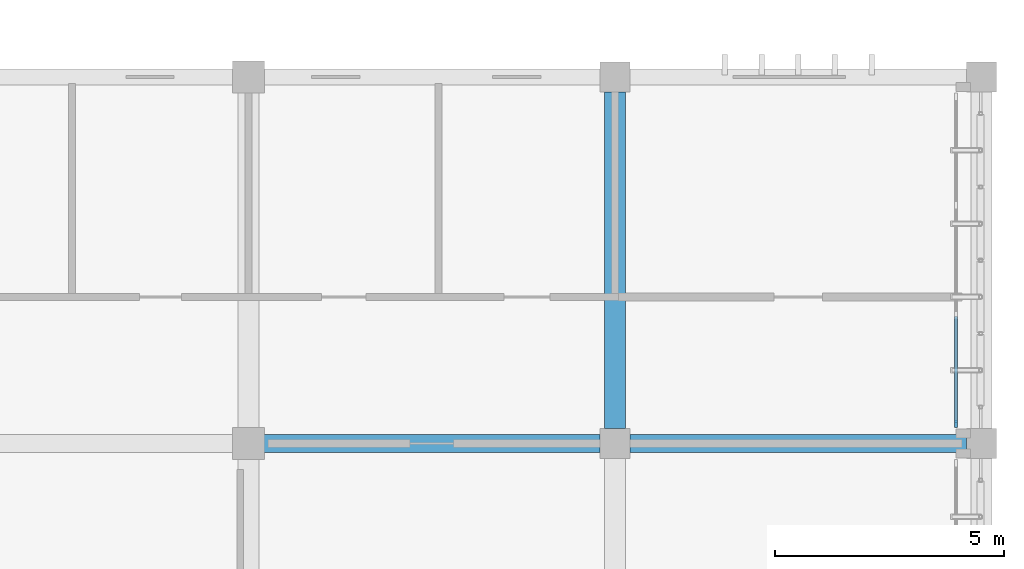
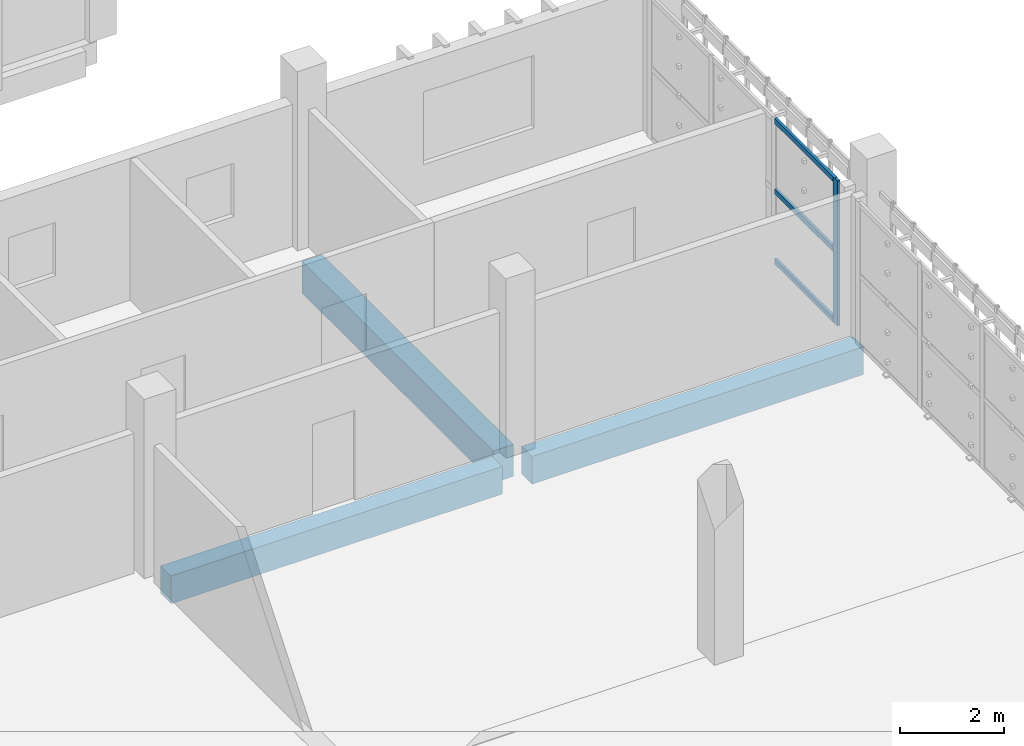
# One storey, part 63 of 137: 4 members, 3 beams, 1 element without a shape of its own.
"""IFC4 building model written with IfcOpenShell, lengths in metres."""

from ifc_helpers import new_model, si_unit, direction, frame, origin, origin_2d, place, context, subcontext, project, spatial, rectangle, extrude, material, layer, layer_set, material_profile, profile_set, type_object, element, aggregate, save


model = new_model("IFC4")

# Units and contexts
model_context = context("Model", 3, precision=1e-05, world=origin(), true_north=direction((0.0, 1.0)))
body_context = subcontext(model_context, "Body", "Model", "MODEL_VIEW")
ifc_project = project(units=[si_unit("LENGTHUNIT", "METRE"), si_unit("AREAUNIT", "SQUARE_METRE"), si_unit("VOLUMEUNIT", "CUBIC_METRE"), si_unit("PLANEANGLEUNIT", "RADIAN"), si_unit("MASSUNIT", "GRAM", prefix="KILO")], contexts=[model_context])

# Site, building, storey
site_placement = place(None, origin())
site = spatial("IfcSite", under=ifc_project, at=site_placement, CompositionType="ELEMENT")
building_placement = place(site_placement, origin())
building = spatial("IfcBuilding", under=site, at=building_placement, Name="Jelvoka-Kovrelna Polytechnic", CompositionType="ELEMENT")
storey_placement = place(building_placement, frame((0.0, 0.0, 9.60009765625)))
storey = spatial("IfcBuildingStorey", under=building, at=storey_placement, Name="L03", CompositionType="ELEMENT", Elevation=9.60009765625)

# Beams
ifc_material_1 = material(Name="Concrete C40/50", Category="concrete")
ifc_material_profile_1 = material_profile(ifc_material_1, rectangle(XDim=0.39990234375, YDim=0.64990234375, at=origin_2d()), Name="RC 400x650")
ifc_profile_set_1 = profile_set([ifc_material_profile_1], Name="Concrete C40/50")
beam_type_1 = type_object("IfcBeamType", Name="Beam_RC_400x650", PredefinedType="BEAM", material=ifc_profile_set_1)
for number, where, z_axis, x_axis, name in (
    (1, (184.330078125, 40.0, -0.590087890625), (1.0, 0.0, 0.0), (0.0, 1.0, 0.0), "L03 beam 0973"),
    (2, (192.330078125, 40.0, -0.590087890625), (1.0, 0.0, 0.0), (0.0, 1.0, 0.0), "L03 beam 0974"),
):
    element("IfcBeam", number, at=place(storey_placement, frame(where, z_axis=z_axis, x_axis=x_axis)), inside=storey, type_object=beam_type_1, Name=name, PredefinedType="BEAM", context=body_context, shape_type="SweptSolid", body=[
        extrude(rectangle(XDim=0.39990234375, YDim=0.64990234375, at=origin_2d()), origin(), (0.0, 0.0, 1.0), 7.33984375),
    ])
ifc_material_2 = material(Name="Concrete C40/50", Category="concrete")
ifc_material_profile_2 = material_profile(ifc_material_2, rectangle(XDim=0.449951171875, YDim=0.75, at=origin_2d()), Name="RC 450x750")
ifc_profile_set_2 = profile_set([ifc_material_profile_2], Name="Concrete C40/50")
beam_type_2 = type_object("IfcBeamType", Name="Beam_RC_450x750", PredefinedType="BEAM", material=ifc_profile_set_2)
beam_placement = place(storey_placement, frame((192.0, 40.330078125, -0.64013671875), z_axis=(0.0, 1.0, 0.0), x_axis=(-1.0, 0.0, 0.0)))
element("IfcBeam", 3, at=beam_placement, inside=storey, type_object=beam_type_2, Name="L03 beam 1001", PredefinedType="BEAM", context=body_context, shape_type="SweptSolid", body=[
    extrude(rectangle(XDim=0.449951171875, YDim=0.75, at=origin_2d()), origin(), (0.0, 0.0, 1.0), 7.33984375),
])

# Curtain wall, members
ifc_material_3 = material(Name="Anodised aluminium 6063-T6", Category="aluminium")
ifc_layer = layer(ifc_material_3, 0.159912109375)
ifc_layer_set = layer_set([ifc_layer], Name="Anodised aluminium 6063-T6")
curtain_wall_type = type_object("IfcCurtainWallType", Name="CW_Recessed_A", PredefinedType="NOTDEFINED", material=ifc_layer_set)
curtain_wall_placement = place(storey_placement, origin())
curtain_wall = element("IfcCurtainWall", 4, at=curtain_wall_placement, inside=storey, type_object=curtain_wall_type, Name="L03 glazed curtain wall 061", PredefinedType="NOTDEFINED")
ifc_material_4 = material(Name="Anodised aluminium 6063-T6", Category="aluminium")
ifc_material_profile_3 = material_profile(ifc_material_4, rectangle(XDim=0.06005859375, YDim=0.159912109375, at=origin_2d()), Name="ALU 60x160")
ifc_profile_set_3 = profile_set([ifc_material_profile_3], Name="Anodised aluminium 6063-T6")
member_type_1 = type_object("IfcMemberType", Name="Mullion_M-01", PredefinedType="MULLION", material=ifc_profile_set_3)
member_1_placement = place(storey_placement, frame((199.43994140625, 40.429931640625, -0.02490234375), z_axis=(0.0, 0.0, 1.0), x_axis=(1.0, 0.0, 0.0)))
member_1 = element("IfcMember", 5, at=member_1_placement, type_object=member_type_1, Name="CW-01 mullion 4", PredefinedType="MULLION", context=body_context, shape_type="SweptSolid", body=[
    extrude(rectangle(XDim=0.06005859375, YDim=0.159912109375, at=origin_2d()), origin(), (0.0, 0.0, 1.0), 3.39990234375),
])
ifc_material_5 = material(Name="Anodised aluminium 6063-T6", Category="aluminium")
ifc_material_profile_4 = material_profile(ifc_material_5, rectangle(XDim=0.06005859375, YDim=0.1201171875, at=origin_2d()), Name="ALU 60x120")
ifc_profile_set_4 = profile_set([ifc_material_profile_4], Name="Anodised aluminium 6063-T6")
member_type_2 = type_object("IfcMemberType", Name="Transom_T-01", PredefinedType="USERDEFINED", material=ifc_profile_set_4)
member_2_placement = place(storey_placement, frame((199.43994140625, 42.77001953125, 0.02978515625), z_axis=(0.0, -1.0, 0.0), x_axis=(1.0, 0.0, 0.0)))
member_2 = element("IfcMember", 6, at=member_2_placement, type_object=member_type_2, Name="CW-01 transom 3.1", ObjectType="TRANSOM", PredefinedType="USERDEFINED", context=body_context, shape_type="SweptSolid", body=[
    extrude(rectangle(XDim=0.06005859375, YDim=0.1201171875, at=origin_2d()), origin(), (0.0, 0.0, 1.0), 2.31005859375),
])
member_3_placement = place(storey_placement, frame((199.43994140625, 42.77001953125, 1.6748046875), z_axis=(0.0, -1.0, 0.0), x_axis=(1.0, 0.0, 0.0)))
member_3 = element("IfcMember", 7, at=member_3_placement, type_object=member_type_2, Name="CW-01 transom 3.2", ObjectType="TRANSOM", PredefinedType="USERDEFINED", context=body_context, shape_type="SweptSolid", body=[
    extrude(rectangle(XDim=0.06005859375, YDim=0.1201171875, at=origin_2d()), origin(), (0.0, 0.0, 1.0), 2.31005859375),
])
member_4_placement = place(storey_placement, frame((199.43994140625, 42.77001953125, 3.31982421875), z_axis=(0.0, -1.0, 0.0), x_axis=(1.0, 0.0, 0.0)))
member_4 = element("IfcMember", 8, at=member_4_placement, type_object=member_type_2, Name="CW-01 transom 3.3", ObjectType="TRANSOM", PredefinedType="USERDEFINED", context=body_context, shape_type="SweptSolid", body=[
    extrude(rectangle(XDim=0.06005859375, YDim=0.1201171875, at=origin_2d()), origin(), (0.0, 0.0, 1.0), 2.31005859375),
])
aggregate(curtain_wall, [member_1, member_2, member_3, member_4])

save(model, "model.ifc")
